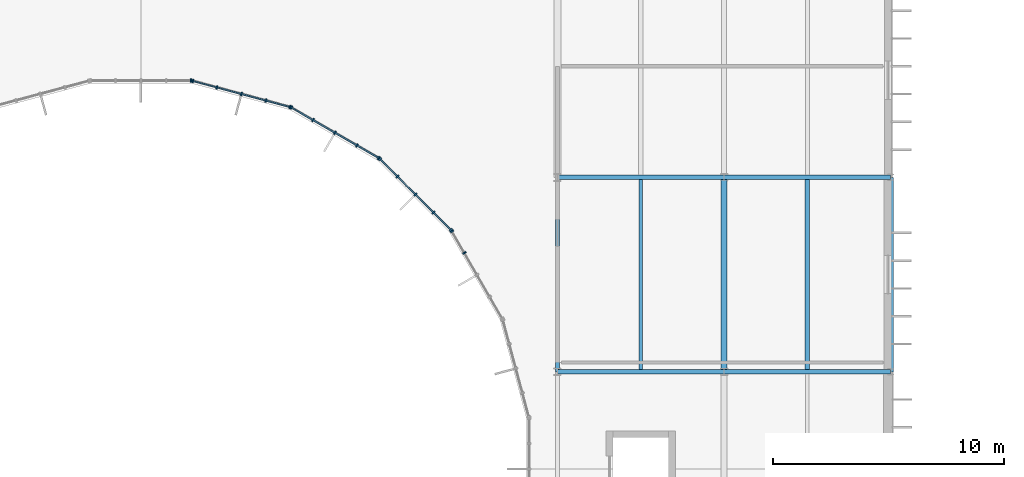
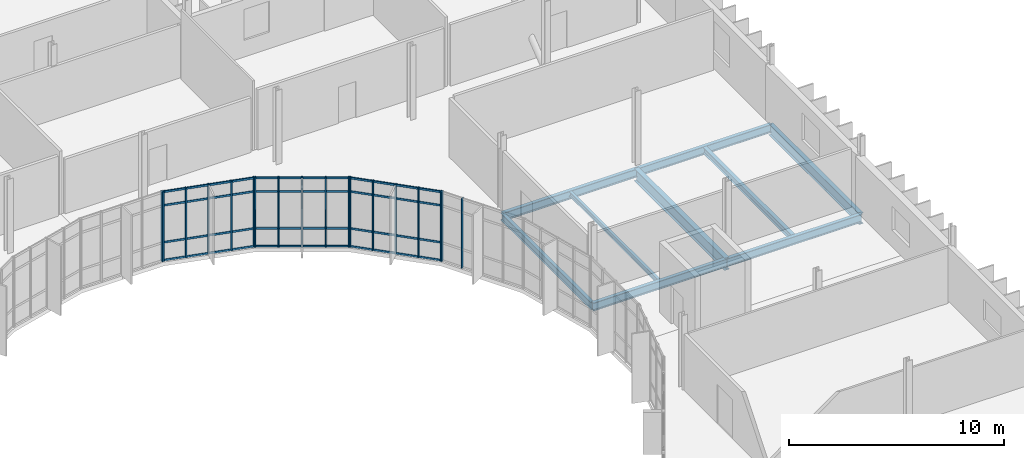
# One storey, part 65 of 119: 30 members, 9 beams, 5 elements without a shape of their own.
"""IFC4 building model written with IfcOpenShell, lengths in metres."""

from ifc_helpers import new_model, si_unit, direction, frame, origin, origin_2d, place, context, subcontext, project, spatial, rectangle, i_section, extrude, material, material_profile, profile_set, type_object, element, aggregate, save


model = new_model("IFC4")

# Units and contexts
model_context = context("Model", 3, precision=1e-05, world=origin(), true_north=direction((0.0, 1.0)))
body_context = subcontext(model_context, "Body", "Model", "MODEL_VIEW")
ifc_project = project(units=[si_unit("LENGTHUNIT", "METRE"), si_unit("AREAUNIT", "SQUARE_METRE"), si_unit("VOLUMEUNIT", "CUBIC_METRE"), si_unit("PLANEANGLEUNIT", "RADIAN"), si_unit("MASSUNIT", "GRAM", prefix="KILO")], contexts=[model_context])

# Site, building, storey
site_placement = place(None, origin())
site = spatial("IfcSite", under=ifc_project, at=site_placement, CompositionType="ELEMENT")
building_placement = place(site_placement, origin())
building = spatial("IfcBuilding", under=site, at=building_placement, Name="Qelthora Terrace Specialist Clinic", CompositionType="ELEMENT")
storey_placement = place(building_placement, frame((0.0, 0.0, 4.800048828125)))
storey = spatial("IfcBuildingStorey", under=building, at=storey_placement, Name="L01", CompositionType="ELEMENT", Elevation=4.800048828125)

# Beams
ifc_material_1 = material(Name="Steel S355", Category="steel")
ifc_material_profile_1 = material_profile(ifc_material_1, i_section(OverallWidth=0.178955078125, OverallDepth=0.409912109375, WebThickness=0.0087890625, FlangeThickness=0.014404296875, FilletRadius=0.011962890625, at=origin_2d()), Name="W410X67")
ifc_profile_set_1 = profile_set([ifc_material_profile_1], Name="Steel S355")
beam_type_1 = type_object("IfcBeamType", Name="BM-W410X67", PredefinedType="BEAM", material=ifc_profile_set_1)
beam_1_placement = place(storey_placement, frame((144.0, 67.199951171875, -0.455078125), z_axis=(0.0, 1.0, 0.0), x_axis=(-1.0, 0.0, 0.0)))
element("IfcBeam", 1, at=beam_1_placement, inside=storey, type_object=beam_type_1, Name="Girder BMY-L01-0520", PredefinedType="BEAM", context=body_context, shape_type="SweptSolid", body=[
    extrude(i_section(OverallWidth=0.178955078125, OverallDepth=0.409912109375, WebThickness=0.0087890625, FlangeThickness=0.014404296875, FilletRadius=0.011962890625, at=origin_2d()), origin(), (0.0, 0.0, 1.0), 8.400146484375),
])
ifc_material_profile_2 = material_profile(ifc_material_1, i_section(OverallWidth=0.19091796875, OverallDepth=0.4599609375, WebThickness=0.010009765625, FlangeThickness=0.01611328125, FilletRadius=0.012939453125, at=origin_2d()), Name="W460X82")
ifc_profile_set_2 = profile_set([ifc_material_profile_2], Name="Steel S355")
beam_type_2 = type_object("IfcBeamType", Name="BM-W460X82", PredefinedType="BEAM", material=ifc_profile_set_2)
beam_2_placement = place(storey_placement, frame((144.0, 67.199951171875, -0.47998046875), z_axis=(1.0, 0.0, 0.0), x_axis=(0.0, 1.0, 0.0)))
element("IfcBeam", 2, at=beam_2_placement, inside=storey, type_object=beam_type_2, Name="Girder BMX-L01-0265", PredefinedType="BEAM", context=body_context, shape_type="SweptSolid", body=[
    extrude(i_section(OverallWidth=0.19091796875, OverallDepth=0.4599609375, WebThickness=0.010009765625, FlangeThickness=0.01611328125, FilletRadius=0.012939453125, at=origin_2d()), origin(), (0.0, 0.0, 1.0), 7.199951171875),
])
ifc_material_profile_3 = material_profile(ifc_material_1, i_section(OverallWidth=0.193115234375, OverallDepth=0.466064453125, WebThickness=0.011474609375, FlangeThickness=0.01904296875, FilletRadius=0.012939453125, at=origin_2d()), Name="W460X97")
ifc_profile_set_3 = profile_set([ifc_material_profile_3], Name="Steel S355")
beam_type_3 = type_object("IfcBeamType", Name="BM-W460X97", PredefinedType="BEAM", material=ifc_profile_set_3)
beam_3_placement = place(storey_placement, frame((144.0, 75.60009765625, -0.483154296875), z_axis=(1.0, 0.0, 0.0), x_axis=(0.0, 1.0, 0.0)))
element("IfcBeam", 3, at=beam_3_placement, inside=storey, type_object=beam_type_3, Name="Girder BMX-L01-0273", PredefinedType="BEAM", context=body_context, shape_type="SweptSolid", body=[
    extrude(i_section(OverallWidth=0.193115234375, OverallDepth=0.466064453125, WebThickness=0.011474609375, FlangeThickness=0.01904296875, FilletRadius=0.012939453125, at=origin_2d()), origin(), (0.0, 0.0, 1.0), 7.199951171875),
])
ifc_material_profile_4 = material_profile(ifc_material_1, i_section(OverallWidth=0.22998046875, OverallDepth=0.616943359375, WebThickness=0.01318359375, FlangeThickness=0.022216796875, FilletRadius=0.01611328125, at=origin_2d()), Name="W610X140")
ifc_profile_set_4 = profile_set([ifc_material_profile_4], Name="Steel S355")
beam_type_4 = type_object("IfcBeamType", Name="BM-W610X140", PredefinedType="BEAM", material=ifc_profile_set_4)
beam_4_placement = place(storey_placement, frame((158.39990234375, 67.199951171875, -0.55859375), z_axis=(0.0, 1.0, 0.0), x_axis=(-1.0, 0.0, 0.0)))
element("IfcBeam", 4, at=beam_4_placement, inside=storey, type_object=beam_type_4, Name="Girder BMY-L01-0544", PredefinedType="BEAM", context=body_context, shape_type="SweptSolid", body=[
    extrude(i_section(OverallWidth=0.22998046875, OverallDepth=0.616943359375, WebThickness=0.01318359375, FlangeThickness=0.022216796875, FilletRadius=0.01611328125, at=origin_2d()), origin(), (0.0, 0.0, 1.0), 8.400146484375),
])
ifc_material_profile_5 = material_profile(ifc_material_1, i_section(OverallWidth=0.256103515625, OverallDepth=0.693115234375, WebThickness=0.014404296875, FlangeThickness=0.023681640625, FilletRadius=0.01806640625, at=origin_2d()), Name="W690X170")
ifc_profile_set_5 = profile_set([ifc_material_profile_5], Name="Steel S355")
beam_type_5 = type_object("IfcBeamType", Name="BM-W690X170", PredefinedType="BEAM", material=ifc_profile_set_5)
beam_5_placement = place(storey_placement, frame((151.199951171875, 67.199951171875, -0.596435546875), z_axis=(0.0, 1.0, 0.0), x_axis=(-1.0, 0.0, 0.0)))
element("IfcBeam", 5, at=beam_5_placement, inside=storey, type_object=beam_type_5, Name="Girder BMY-L01-0533", PredefinedType="BEAM", context=body_context, shape_type="SweptSolid", body=[
    extrude(i_section(OverallWidth=0.256103515625, OverallDepth=0.693115234375, WebThickness=0.014404296875, FlangeThickness=0.023681640625, FilletRadius=0.01806640625, at=origin_2d()), origin(), (0.0, 0.0, 1.0), 8.400146484375),
])

# Curtain wall, members
ifc_material_2 = material(Name="Aluminium anodized bronze", Category="aluminium")
curtain_wall_type = type_object("IfcCurtainWallType", Name="CW-CRTE-UPP", PredefinedType="NOTDEFINED", material=ifc_material_2)
curtain_wall_1_placement = place(storey_placement, origin())
curtain_wall_1 = element("IfcCurtainWall", 6, at=curtain_wall_1_placement, inside=storey, type_object=curtain_wall_type, Name="Curtain wall CW-CE-L01-02", PredefinedType="NOTDEFINED")
ifc_material_profile_6 = material_profile(ifc_material_2, rectangle(XDim=0.06005859375, YDim=0.14990234375, at=origin_2d()), Name="CWM60X150")
ifc_profile_set_6 = profile_set([ifc_material_profile_6], Name="Aluminium anodized bronze")
member_type_1 = type_object("IfcMemberType", Name="CWM-60X150", PredefinedType="MULLION", material=ifc_profile_set_6)
member_1_placement = place(storey_placement, frame((139.98046875, 72.337646484375, 0.0), z_axis=(0.0, 0.0, 1.0), x_axis=(-0.500000028915, 0.86602538709, 0.0)))
member_1 = element("IfcMember", 7, at=member_1_placement, type_object=member_type_1, Name="CW-CE-L01-02 mullion 4", PredefinedType="MULLION", context=body_context, shape_type="SweptSolid", body=[
    extrude(rectangle(XDim=0.06005859375, YDim=0.14990234375, at=origin_2d()), origin(), (0.0, 0.0, 1.0), 3.945068359375),
])
member_2_placement = place(storey_placement, frame((139.442138671875, 73.269775390625, 0.0), z_axis=(0.0, 0.0, 1.0), x_axis=(-0.500000028915, 0.86602538709, 0.0)))
member_2 = element("IfcMember", 8, at=member_2_placement, type_object=member_type_1, Name="CW-CE-L01-02 mullion 5", PredefinedType="MULLION", context=body_context, shape_type="SweptSolid", body=[
    extrude(rectangle(XDim=0.06005859375, YDim=0.14990234375, at=origin_2d()), origin(), (0.0, 0.0, 1.0), 3.945068359375),
])
aggregate(curtain_wall_1, [member_1, member_2])

curtain_wall_2_placement = place(storey_placement, origin())
curtain_wall_2 = element("IfcCurtainWall", 9, at=curtain_wall_2_placement, inside=storey, type_object=curtain_wall_type, Name="Curtain wall CW-CE-L01-03", PredefinedType="NOTDEFINED")
member_3_placement = place(storey_placement, frame((139.399169921875, 73.326171875, 0.0), z_axis=(0.0, 0.0, 1.0), x_axis=(-0.707106781187, 0.707106781187, 0.0)))
member_3 = element("IfcMember", 10, at=member_3_placement, type_object=member_type_1, Name="CW-CE-L01-03 mullion 1", PredefinedType="MULLION", context=body_context, shape_type="SweptSolid", body=[
    extrude(rectangle(XDim=0.06005859375, YDim=0.14990234375, at=origin_2d()), origin(), (0.0, 0.0, 1.0), 3.945068359375),
])
member_4_placement = place(storey_placement, frame((138.637939453125, 74.08740234375, 0.0), z_axis=(0.0, 0.0, 1.0), x_axis=(-0.707106781187, 0.707106781187, 0.0)))
member_4 = element("IfcMember", 11, at=member_4_placement, type_object=member_type_1, Name="CW-CE-L01-03 mullion 2", PredefinedType="MULLION", context=body_context, shape_type="SweptSolid", body=[
    extrude(rectangle(XDim=0.06005859375, YDim=0.14990234375, at=origin_2d()), origin(), (0.0, 0.0, 1.0), 3.945068359375),
])
member_5_placement = place(storey_placement, frame((137.862548828125, 74.862548828125, 0.0), z_axis=(0.0, 0.0, 1.0), x_axis=(-0.707106781187, 0.707106781187, 0.0)))
member_5 = element("IfcMember", 12, at=member_5_placement, type_object=member_type_1, Name="CW-CE-L01-03 mullion 3", PredefinedType="MULLION", context=body_context, shape_type="SweptSolid", body=[
    extrude(rectangle(XDim=0.06005859375, YDim=0.14990234375, at=origin_2d()), origin(), (0.0, 0.0, 1.0), 3.945068359375),
])
member_6_placement = place(storey_placement, frame((137.08740234375, 75.637939453125, 0.0), z_axis=(0.0, 0.0, 1.0), x_axis=(-0.707106781187, 0.707106781187, 0.0)))
member_6 = element("IfcMember", 13, at=member_6_placement, type_object=member_type_1, Name="CW-CE-L01-03 mullion 4", PredefinedType="MULLION", context=body_context, shape_type="SweptSolid", body=[
    extrude(rectangle(XDim=0.06005859375, YDim=0.14990234375, at=origin_2d()), origin(), (0.0, 0.0, 1.0), 3.945068359375),
])
member_7_placement = place(storey_placement, frame((136.326171875, 76.399169921875, 0.0), z_axis=(0.0, 0.0, 1.0), x_axis=(-0.707106781187, 0.707106781187, 0.0)))
member_7 = element("IfcMember", 14, at=member_7_placement, type_object=member_type_1, Name="CW-CE-L01-03 mullion 5", PredefinedType="MULLION", context=body_context, shape_type="SweptSolid", body=[
    extrude(rectangle(XDim=0.06005859375, YDim=0.14990234375, at=origin_2d()), origin(), (0.0, 0.0, 1.0), 3.945068359375),
])

curtain_wall_3_placement = place(storey_placement, origin())
curtain_wall_3 = element("IfcCurtainWall", 15, at=curtain_wall_3_placement, inside=storey, type_object=curtain_wall_type, Name="Curtain wall CW-CE-L01-04", PredefinedType="NOTDEFINED")
member_8_placement = place(storey_placement, frame((136.269775390625, 76.442138671875, 0.0), z_axis=(0.0, 0.0, 1.0), x_axis=(-0.86602538709, 0.500000028915, 0.0)))
member_8 = element("IfcMember", 16, at=member_8_placement, type_object=member_type_1, Name="CW-CE-L01-04 mullion 1", PredefinedType="MULLION", context=body_context, shape_type="SweptSolid", body=[
    extrude(rectangle(XDim=0.06005859375, YDim=0.14990234375, at=origin_2d()), origin(), (0.0, 0.0, 1.0), 3.945068359375),
])
member_9_placement = place(storey_placement, frame((135.337646484375, 76.98046875, 0.0), z_axis=(0.0, 0.0, 1.0), x_axis=(-0.86602538709, 0.500000028915, 0.0)))
member_9 = element("IfcMember", 17, at=member_9_placement, type_object=member_type_1, Name="CW-CE-L01-04 mullion 2", PredefinedType="MULLION", context=body_context, shape_type="SweptSolid", body=[
    extrude(rectangle(XDim=0.06005859375, YDim=0.14990234375, at=origin_2d()), origin(), (0.0, 0.0, 1.0), 3.945068359375),
])
member_10_placement = place(storey_placement, frame((134.38818359375, 77.528564453125, 0.0), z_axis=(0.0, 0.0, 1.0), x_axis=(-0.86602538709, 0.500000028915, 0.0)))
member_10 = element("IfcMember", 18, at=member_10_placement, type_object=member_type_1, Name="CW-CE-L01-04 mullion 3", PredefinedType="MULLION", context=body_context, shape_type="SweptSolid", body=[
    extrude(rectangle(XDim=0.06005859375, YDim=0.14990234375, at=origin_2d()), origin(), (0.0, 0.0, 1.0), 3.945068359375),
])
member_11_placement = place(storey_placement, frame((133.438720703125, 78.076904296875, 0.0), z_axis=(0.0, 0.0, 1.0), x_axis=(-0.86602538709, 0.500000028915, 0.0)))
member_11 = element("IfcMember", 19, at=member_11_placement, type_object=member_type_1, Name="CW-CE-L01-04 mullion 4", PredefinedType="MULLION", context=body_context, shape_type="SweptSolid", body=[
    extrude(rectangle(XDim=0.06005859375, YDim=0.14990234375, at=origin_2d()), origin(), (0.0, 0.0, 1.0), 3.945068359375),
])
member_12_placement = place(storey_placement, frame((132.50634765625, 78.614990234375, 0.0), z_axis=(0.0, 0.0, 1.0), x_axis=(-0.86602538709, 0.500000028915, 0.0)))
member_12 = element("IfcMember", 20, at=member_12_placement, type_object=member_type_1, Name="CW-CE-L01-04 mullion 5", PredefinedType="MULLION", context=body_context, shape_type="SweptSolid", body=[
    extrude(rectangle(XDim=0.06005859375, YDim=0.14990234375, at=origin_2d()), origin(), (0.0, 0.0, 1.0), 3.945068359375),
])

curtain_wall_4_placement = place(storey_placement, origin())
curtain_wall_4 = element("IfcCurtainWall", 21, at=curtain_wall_4_placement, inside=storey, type_object=curtain_wall_type, Name="Curtain wall CW-CE-L01-05", PredefinedType="NOTDEFINED")
member_13_placement = place(storey_placement, frame((132.44091796875, 78.642333984375, 0.0), z_axis=(0.0, 0.0, 1.0), x_axis=(-0.965925660235, 0.258819664824, 0.0)))
member_13 = element("IfcMember", 22, at=member_13_placement, type_object=member_type_1, Name="CW-CE-L01-05 mullion 1", PredefinedType="MULLION", context=body_context, shape_type="SweptSolid", body=[
    extrude(rectangle(XDim=0.06005859375, YDim=0.14990234375, at=origin_2d()), origin(), (0.0, 0.0, 1.0), 3.945068359375),
])
member_14_placement = place(storey_placement, frame((131.401123046875, 78.9208984375, 0.0), z_axis=(0.0, 0.0, 1.0), x_axis=(-0.965925660235, 0.258819664824, 0.0)))
member_14 = element("IfcMember", 23, at=member_14_placement, type_object=member_type_1, Name="CW-CE-L01-05 mullion 2", PredefinedType="MULLION", context=body_context, shape_type="SweptSolid", body=[
    extrude(rectangle(XDim=0.06005859375, YDim=0.14990234375, at=origin_2d()), origin(), (0.0, 0.0, 1.0), 3.945068359375),
])
member_15_placement = place(storey_placement, frame((130.342041015625, 79.20458984375, 0.0), z_axis=(0.0, 0.0, 1.0), x_axis=(-0.965925660235, 0.258819664824, 0.0)))
member_15 = element("IfcMember", 24, at=member_15_placement, type_object=member_type_1, Name="CW-CE-L01-05 mullion 3", PredefinedType="MULLION", context=body_context, shape_type="SweptSolid", body=[
    extrude(rectangle(XDim=0.06005859375, YDim=0.14990234375, at=origin_2d()), origin(), (0.0, 0.0, 1.0), 3.945068359375),
])
member_16_placement = place(storey_placement, frame((129.282958984375, 79.488525390625, 0.0), z_axis=(0.0, 0.0, 1.0), x_axis=(-0.965925660235, 0.258819664824, 0.0)))
member_16 = element("IfcMember", 25, at=member_16_placement, type_object=member_type_1, Name="CW-CE-L01-05 mullion 4", PredefinedType="MULLION", context=body_context, shape_type="SweptSolid", body=[
    extrude(rectangle(XDim=0.06005859375, YDim=0.14990234375, at=origin_2d()), origin(), (0.0, 0.0, 1.0), 3.945068359375),
])
member_17_placement = place(storey_placement, frame((128.2431640625, 79.76708984375, 0.0), z_axis=(0.0, 0.0, 1.0), x_axis=(-0.965925660235, 0.258819664824, 0.0)))
member_17 = element("IfcMember", 26, at=member_17_placement, type_object=member_type_1, Name="CW-CE-L01-05 mullion 5", PredefinedType="MULLION", context=body_context, shape_type="SweptSolid", body=[
    extrude(rectangle(XDim=0.06005859375, YDim=0.14990234375, at=origin_2d()), origin(), (0.0, 0.0, 1.0), 3.945068359375),
])

# Curtain wall, member
curtain_wall_5_placement = place(storey_placement, origin())
curtain_wall_5 = element("IfcCurtainWall", 27, at=curtain_wall_5_placement, inside=storey, type_object=curtain_wall_type, Name="Curtain wall CW-CE-L01-06", PredefinedType="NOTDEFINED")
member_18_placement = place(storey_placement, frame((128.1728515625, 79.7763671875, 0.0), z_axis=(0.0, 0.0, 1.0), x_axis=(-1.0, 0.0, 0.0)))
member_18 = element("IfcMember", 28, at=member_18_placement, type_object=member_type_1, Name="CW-CE-L01-06 mullion 1", PredefinedType="MULLION", context=body_context, shape_type="SweptSolid", body=[
    extrude(rectangle(XDim=0.06005859375, YDim=0.14990234375, at=origin_2d()), origin(), (0.0, 0.0, 1.0), 3.945068359375),
])
aggregate(curtain_wall_5, [member_18])

# Member
ifc_material_profile_7 = material_profile(ifc_material_2, rectangle(XDim=0.06005859375, YDim=0.110107421875, at=origin_2d()), Name="CWT60X110")
ifc_profile_set_7 = profile_set([ifc_material_profile_7], Name="Aluminium anodized bronze")
member_type_2 = type_object("IfcMemberType", Name="CWT-60X110", PredefinedType="USERDEFINED", material=ifc_profile_set_7)
member_19_placement = place(storey_placement, frame((139.385009765625, 73.34033203125, 0.0400390625), z_axis=(-0.707106781187, 0.707106781187, 0.0), x_axis=(-0.707106781187, -0.707106781187, 0.0)))
member_19 = element("IfcMember", 29, at=member_19_placement, type_object=member_type_2, Name="CW-CE-L01-03 transom 1", ObjectType="TRANSOM", PredefinedType="USERDEFINED", context=body_context, shape_type="SweptSolid", body=[
    extrude(rectangle(XDim=0.06005859375, YDim=0.110107421875, at=origin_2d()), origin(), (0.0, 0.0, 1.0), 4.305908203125),
])

member_20_placement = place(storey_placement, frame((139.385009765625, 73.34033203125, 1.050048828125), z_axis=(-0.707106781187, 0.707106781187, 0.0), x_axis=(-0.707106781187, -0.707106781187, 0.0)))
member_20 = element("IfcMember", 30, at=member_20_placement, type_object=member_type_2, Name="CW-CE-L01-03 transom 2", ObjectType="TRANSOM", PredefinedType="USERDEFINED", context=body_context, shape_type="SweptSolid", body=[
    extrude(rectangle(XDim=0.06005859375, YDim=0.110107421875, at=origin_2d()), origin(), (0.0, 0.0, 1.0), 4.305908203125),
])

member_21_placement = place(storey_placement, frame((139.385009765625, 73.34033203125, 3.14501953125), z_axis=(-0.707106781187, 0.707106781187, 0.0), x_axis=(-0.707106781187, -0.707106781187, 0.0)))
member_21 = element("IfcMember", 31, at=member_21_placement, type_object=member_type_2, Name="CW-CE-L01-03 transom 3", ObjectType="TRANSOM", PredefinedType="USERDEFINED", context=body_context, shape_type="SweptSolid", body=[
    extrude(rectangle(XDim=0.06005859375, YDim=0.110107421875, at=origin_2d()), origin(), (0.0, 0.0, 1.0), 4.305908203125),
])

member_22_placement = place(storey_placement, frame((139.385009765625, 73.34033203125, 3.905029296875), z_axis=(-0.707106781187, 0.707106781187, 0.0), x_axis=(-0.707106781187, -0.707106781187, 0.0)))
member_22 = element("IfcMember", 32, at=member_22_placement, type_object=member_type_2, Name="CW-CE-L01-03 transom 4", ObjectType="TRANSOM", PredefinedType="USERDEFINED", context=body_context, shape_type="SweptSolid", body=[
    extrude(rectangle(XDim=0.06005859375, YDim=0.110107421875, at=origin_2d()), origin(), (0.0, 0.0, 1.0), 4.305908203125),
])

aggregate(curtain_wall_2, [member_3, member_4, member_5, member_6, member_7, member_19, member_20, member_21, member_22])

member_23_placement = place(storey_placement, frame((136.25244140625, 76.4521484375, 0.0400390625), z_axis=(-0.866022228109, 0.500005500391, 0.0), x_axis=(-0.500005500391, -0.866022228109, 0.0)))
member_23 = element("IfcMember", 33, at=member_23_placement, type_object=member_type_2, Name="CW-CE-L01-04 transom 1", ObjectType="TRANSOM", PredefinedType="USERDEFINED", context=body_context, shape_type="SweptSolid", body=[
    extrude(rectangle(XDim=0.06005859375, YDim=0.110107421875, at=origin_2d()), origin(), (0.0, 0.0, 1.0), 4.3056640625),
])

member_24_placement = place(storey_placement, frame((136.25244140625, 76.4521484375, 1.050048828125), z_axis=(-0.866022228109, 0.500005500391, 0.0), x_axis=(-0.500005500391, -0.866022228109, 0.0)))
member_24 = element("IfcMember", 34, at=member_24_placement, type_object=member_type_2, Name="CW-CE-L01-04 transom 2", ObjectType="TRANSOM", PredefinedType="USERDEFINED", context=body_context, shape_type="SweptSolid", body=[
    extrude(rectangle(XDim=0.06005859375, YDim=0.110107421875, at=origin_2d()), origin(), (0.0, 0.0, 1.0), 4.3056640625),
])

member_25_placement = place(storey_placement, frame((136.25244140625, 76.4521484375, 3.14501953125), z_axis=(-0.866022228109, 0.500005500391, 0.0), x_axis=(-0.500005500391, -0.866022228109, 0.0)))
member_25 = element("IfcMember", 35, at=member_25_placement, type_object=member_type_2, Name="CW-CE-L01-04 transom 3", ObjectType="TRANSOM", PredefinedType="USERDEFINED", context=body_context, shape_type="SweptSolid", body=[
    extrude(rectangle(XDim=0.06005859375, YDim=0.110107421875, at=origin_2d()), origin(), (0.0, 0.0, 1.0), 4.3056640625),
])

member_26_placement = place(storey_placement, frame((136.25244140625, 76.4521484375, 3.905029296875), z_axis=(-0.866022228109, 0.500005500391, 0.0), x_axis=(-0.500005500391, -0.866022228109, 0.0)))
member_26 = element("IfcMember", 36, at=member_26_placement, type_object=member_type_2, Name="CW-CE-L01-04 transom 4", ObjectType="TRANSOM", PredefinedType="USERDEFINED", context=body_context, shape_type="SweptSolid", body=[
    extrude(rectangle(XDim=0.06005859375, YDim=0.110107421875, at=origin_2d()), origin(), (0.0, 0.0, 1.0), 4.3056640625),
])

aggregate(curtain_wall_3, [member_8, member_9, member_10, member_11, member_12, member_23, member_24, member_25, member_26])

member_27_placement = place(storey_placement, frame((132.42138671875, 78.6474609375, 0.0400390625), z_axis=(-0.965933119212, 0.25879182601, 0.0), x_axis=(-0.25879182601, -0.965933119212, 0.0)))
member_27 = element("IfcMember", 37, at=member_27_placement, type_object=member_type_2, Name="CW-CE-L01-05 transom 1", ObjectType="TRANSOM", PredefinedType="USERDEFINED", context=body_context, shape_type="SweptSolid", body=[
    extrude(rectangle(XDim=0.06005859375, YDim=0.110107421875, at=origin_2d()), origin(), (0.0, 0.0, 1.0), 4.3056640625),
])

member_28_placement = place(storey_placement, frame((132.42138671875, 78.6474609375, 1.050048828125), z_axis=(-0.965933119212, 0.25879182601, 0.0), x_axis=(-0.25879182601, -0.965933119212, 0.0)))
member_28 = element("IfcMember", 38, at=member_28_placement, type_object=member_type_2, Name="CW-CE-L01-05 transom 2", ObjectType="TRANSOM", PredefinedType="USERDEFINED", context=body_context, shape_type="SweptSolid", body=[
    extrude(rectangle(XDim=0.06005859375, YDim=0.110107421875, at=origin_2d()), origin(), (0.0, 0.0, 1.0), 4.3056640625),
])

member_29_placement = place(storey_placement, frame((132.42138671875, 78.6474609375, 3.14501953125), z_axis=(-0.965933119212, 0.25879182601, 0.0), x_axis=(-0.25879182601, -0.965933119212, 0.0)))
member_29 = element("IfcMember", 39, at=member_29_placement, type_object=member_type_2, Name="CW-CE-L01-05 transom 3", ObjectType="TRANSOM", PredefinedType="USERDEFINED", context=body_context, shape_type="SweptSolid", body=[
    extrude(rectangle(XDim=0.06005859375, YDim=0.110107421875, at=origin_2d()), origin(), (0.0, 0.0, 1.0), 4.3056640625),
])

member_30_placement = place(storey_placement, frame((132.42138671875, 78.6474609375, 3.905029296875), z_axis=(-0.965933119212, 0.25879182601, 0.0), x_axis=(-0.25879182601, -0.965933119212, 0.0)))
member_30 = element("IfcMember", 40, at=member_30_placement, type_object=member_type_2, Name="CW-CE-L01-05 transom 4", ObjectType="TRANSOM", PredefinedType="USERDEFINED", context=body_context, shape_type="SweptSolid", body=[
    extrude(rectangle(XDim=0.06005859375, YDim=0.110107421875, at=origin_2d()), origin(), (0.0, 0.0, 1.0), 4.3056640625),
])

aggregate(curtain_wall_4, [member_13, member_14, member_15, member_16, member_17, member_27, member_28, member_29, member_30])

# Beams
ifc_material_profile_8 = material_profile(ifc_material_1, i_section(OverallWidth=0.14599609375, OverallDepth=0.258056640625, WebThickness=0.006103515625, FlangeThickness=0.009033203125, FilletRadius=0.009033203125, at=origin_2d()), Name="W250X33")
ifc_profile_set_8 = profile_set([ifc_material_profile_8], Name="Steel S355")
beam_type_6 = type_object("IfcBeamType", Name="JST-W250X33", PredefinedType="JOIST", material=ifc_profile_set_8)
beam_6_placement = place(storey_placement, frame((147.60009765625, 67.29541015625, -0.379150390625), z_axis=(0.0, 1.0, 0.0), x_axis=(-1.0, 0.0, 0.0)))
element("IfcBeam", 41, at=beam_6_placement, inside=storey, type_object=beam_type_6, Name="Composite floor joist JST-L01-0138", PredefinedType="JOIST", context=body_context, shape_type="SweptSolid", body=[
    extrude(i_section(OverallWidth=0.14599609375, OverallDepth=0.258056640625, WebThickness=0.006103515625, FlangeThickness=0.009033203125, FilletRadius=0.009033203125, at=origin_2d()), origin(), (0.0, 0.0, 1.0), 8.2080078125),
])
ifc_material_profile_9 = material_profile(ifc_material_1, i_section(OverallWidth=0.202880859375, OverallDepth=0.346923828125, WebThickness=0.0078125, FlangeThickness=0.013427734375, FilletRadius=0.010986328125, at=origin_2d()), Name="W360X64")
ifc_profile_set_9 = profile_set([ifc_material_profile_9], Name="Steel S355")
beam_type_7 = type_object("IfcBeamType", Name="JST-W360X64", PredefinedType="JOIST", material=ifc_profile_set_9)
beam_7_placement = place(storey_placement, frame((154.800048828125, 67.29541015625, -0.423583984375), z_axis=(0.0, 1.0, 0.0), x_axis=(-1.0, 0.0, 0.0)))
element("IfcBeam", 42, at=beam_7_placement, inside=storey, type_object=beam_type_7, Name="Composite floor joist JST-L01-0145", PredefinedType="JOIST", context=body_context, shape_type="SweptSolid", body=[
    extrude(i_section(OverallWidth=0.202880859375, OverallDepth=0.346923828125, WebThickness=0.0078125, FlangeThickness=0.013427734375, FilletRadius=0.010986328125, at=origin_2d()), origin(), (0.0, 0.0, 1.0), 8.208984375),
])
ifc_material_profile_10 = material_profile(ifc_material_1, i_section(OverallWidth=0.19091796875, OverallDepth=0.4599609375, WebThickness=0.010009765625, FlangeThickness=0.01611328125, FilletRadius=0.012939453125, at=origin_2d()), Name="W460X82")
ifc_profile_set_10 = profile_set([ifc_material_profile_10], Name="Steel S355")
beam_type_8 = type_object("IfcBeamType", Name="SPD-W460X82", PredefinedType="SPANDREL", material=ifc_profile_set_10)
for number, where, z_axis, x_axis, name in (
    (43, (151.199951171875, 67.199951171875, -0.47998046875), (1.0, 0.0, 0.0), (0.0, 1.0, 0.0), "Girder BMX-L01-0266"),
    (44, (151.199951171875, 75.60009765625, -0.47998046875), (1.0, 0.0, 0.0), (0.0, 1.0, 0.0), "Girder BMX-L01-0274"),
):
    element("IfcBeam", number, at=place(storey_placement, frame(where, z_axis=z_axis, x_axis=x_axis)), inside=storey, type_object=beam_type_8, Name=name, PredefinedType="SPANDREL", context=body_context, shape_type="SweptSolid", body=[
        extrude(i_section(OverallWidth=0.19091796875, OverallDepth=0.4599609375, WebThickness=0.010009765625, FlangeThickness=0.01611328125, FilletRadius=0.012939453125, at=origin_2d()), origin(), (0.0, 0.0, 1.0), 7.199951171875),
    ])

save(model, "model.ifc")
